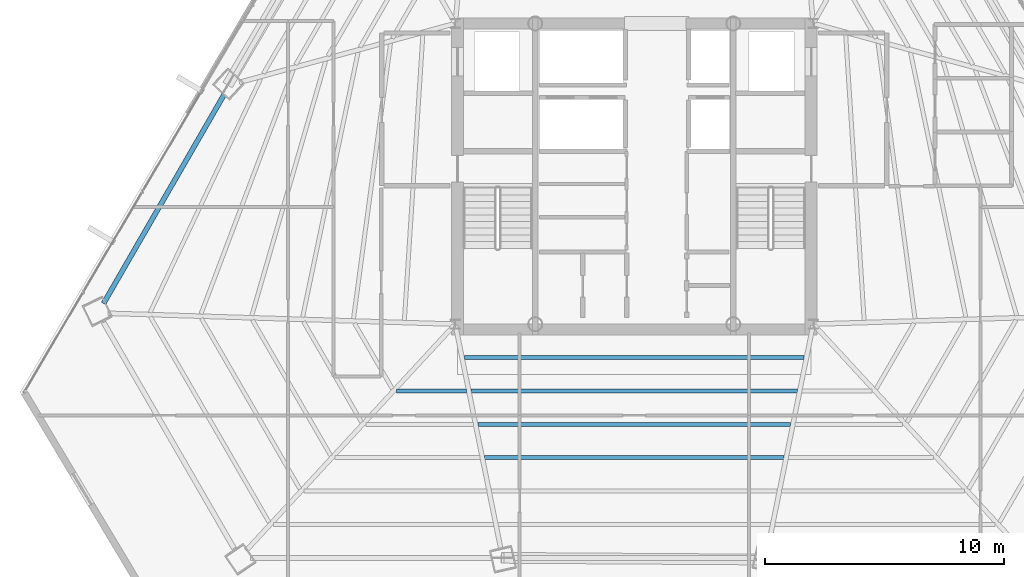
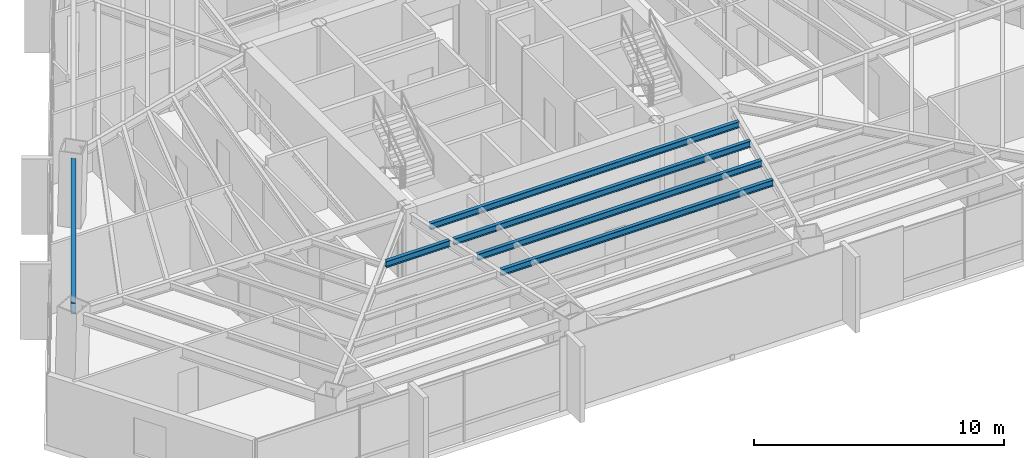
# One storey, part 11 of 41: 6 beams.
"""IFC4 building model written with IfcOpenShell, lengths in metres."""

from ifc_helpers import new_model, si_unit, direction, frame, origin, origin_2d, place, context, subcontext, project, spatial, i_section, extrude, source, transform, mapped, material, material_profile, profile_set, type_object, type_shapes, element, save


model = new_model("IFC4")

# Units and contexts
model_context = context("Model", 3, precision=1e-05, world=origin(), true_north=direction((0.0, 1.0)))
body_context = subcontext(model_context, "Body", "Model", "MODEL_VIEW")
ifc_project = project(units=[si_unit("LENGTHUNIT", "METRE"), si_unit("AREAUNIT", "SQUARE_METRE"), si_unit("VOLUMEUNIT", "CUBIC_METRE"), si_unit("PLANEANGLEUNIT", "RADIAN"), si_unit("MASSUNIT", "GRAM", prefix="KILO")], contexts=[model_context])

# Site, building, storey
site_placement = place(None, origin())
site = spatial("IfcSite", under=ifc_project, at=site_placement, CompositionType="ELEMENT")
building_placement = place(site_placement, origin())
building = spatial("IfcBuilding", under=site, at=building_placement, Name="Caelisora Broadcast Tower", CompositionType="ELEMENT")
storey_placement = place(building_placement, frame((0.0, 0.0, 165.800048828125)))
storey = spatial("IfcBuildingStorey", under=building, at=storey_placement, Name="L43", CompositionType="ELEMENT", Elevation=165.800048828125)

# Beams
ifc_material = material(Name="Steel Grade 350 (AS/NZS 3679.1)", Category="steel")
ifc_material_profile_1 = material_profile(ifc_material, i_section(OverallWidth=0.208984375, OverallDepth=0.532958984375, WebThickness=0.01025390625, FlangeThickness=0.015625, at=origin_2d()), Name="Steel Grade 350 (AS/NZS 3679.1)")
ifc_profile_set_1 = profile_set([ifc_material_profile_1], Name="Steel Grade 350 (AS/NZS 3679.1)")
beam_type_1 = type_object("IfcBeamType", Name="PG05", PredefinedType="BEAM", material=ifc_profile_set_1)
shared_shape_1 = source(origin(), body_context, "Body", "SweptSolid", [
    extrude(i_section(OverallWidth=0.208984375, OverallDepth=0.532958984375, WebThickness=0.01025390625, FlangeThickness=0.015625, at=origin_2d()), origin(), (0.0, 0.0, 1.0), 10.1083984375),
])
type_shapes(beam_type_1, [shared_shape_1])
beam_1_placement = place(storey_placement, frame((20.818359375, 27.021240234375, 3.133544921875), z_axis=(-0.499999119609, -0.866025912078, 0.0), x_axis=(0.866025912078, -0.499999119609, 0.0)))
element("IfcBeam", 1, at=beam_1_placement, inside=storey, type_object=beam_type_1, Name="L43 beam PG05", PredefinedType="BEAM", context=body_context, shape_type="MappedRepresentation", body=[
    mapped(shared_shape_1, transform((0.0, 0.0, 0.0), scale=1.0)),
])
ifc_material_profile_2 = material_profile(ifc_material, i_section(OverallWidth=0.166015625, OverallDepth=0.30712890625, WebThickness=0.006591796875, FlangeThickness=0.01171875, at=origin_2d()), Name="Steel Grade 350 (AS/NZS 3679.1)")
ifc_profile_set_2 = profile_set([ifc_material_profile_2], Name="Steel Grade 350 (AS/NZS 3679.1)")
beam_type_2 = type_object("IfcBeamType", Name="SB03", PredefinedType="JOIST", material=ifc_profile_set_2)
shared_shape_2 = source(origin(), body_context, "Body", "SweptSolid", [
    extrude(i_section(OverallWidth=0.166015625, OverallDepth=0.30712890625, WebThickness=0.006591796875, FlangeThickness=0.01171875, at=origin_2d()), origin(), (0.0, 0.0, 1.0), 2.9296875),
])
beam_2_placement = place(storey_placement, frame((28.043212890625, 14.602783203125, 3.246337890625), z_axis=(1.0, 0.0, 0.0), x_axis=(0.0, 1.0, 0.0)))
element("IfcBeam", 2, at=beam_2_placement, inside=storey, type_object=beam_type_2, Name="L43 beam SB03", PredefinedType="JOIST", context=body_context, shape_type="MappedRepresentation", body=[
    mapped(shared_shape_2, transform((0.0, 0.0, 0.0), scale=1.0)),
])
shared_shape_3 = source(origin(), body_context, "Body", "SweptSolid", [
    extrude(i_section(OverallWidth=0.166015625, OverallDepth=0.30712890625, WebThickness=0.006591796875, FlangeThickness=0.01171875, at=origin_2d()), origin(), (0.0, 0.0, 1.0), 14.24365234375),
])
beam_3_placement = place(storey_placement, frame((30.878173828125, 16.00146484375, 3.246337890625), z_axis=(1.0, 0.0, 0.0), x_axis=(0.0, 1.0, 0.0)))
element("IfcBeam", 3, at=beam_3_placement, inside=storey, type_object=beam_type_2, Name="L43 beam SB03", PredefinedType="JOIST", context=body_context, shape_type="MappedRepresentation", body=[
    mapped(shared_shape_3, transform((0.0, 0.0, 0.0), scale=1.0)),
])
shared_shape_4 = source(origin(), body_context, "Body", "SweptSolid", [
    extrude(i_section(OverallWidth=0.166015625, OverallDepth=0.30712890625, WebThickness=0.006591796875, FlangeThickness=0.01171875, at=origin_2d()), origin(), (0.0, 0.0, 1.0), 13.6767578125),
])
beam_4_placement = place(storey_placement, frame((31.16162109375, 14.602783203125, 3.246337890625), z_axis=(1.0, 0.0, 0.0), x_axis=(0.0, 1.0, 0.0)))
element("IfcBeam", 4, at=beam_4_placement, inside=storey, type_object=beam_type_2, Name="L43 beam SB03", PredefinedType="JOIST", context=body_context, shape_type="MappedRepresentation", body=[
    mapped(shared_shape_4, transform((0.0, 0.0, 0.0), scale=1.0)),
])
shared_shape_5 = source(origin(), body_context, "Body", "SweptSolid", [
    extrude(i_section(OverallWidth=0.166015625, OverallDepth=0.30712890625, WebThickness=0.006591796875, FlangeThickness=0.01171875, at=origin_2d()), origin(), (0.0, 0.0, 1.0), 13.109375),
])
beam_5_placement = place(storey_placement, frame((31.4453125, 13.2041015625, 3.246337890625), z_axis=(1.0, 0.0, 0.0), x_axis=(0.0, 1.0, 0.0)))
element("IfcBeam", 5, at=beam_5_placement, inside=storey, type_object=beam_type_2, Name="L43 beam SB03", PredefinedType="JOIST", context=body_context, shape_type="MappedRepresentation", body=[
    mapped(shared_shape_5, transform((0.0, 0.0, 0.0), scale=1.0)),
])
shared_shape_6 = source(origin(), body_context, "Body", "SweptSolid", [
    extrude(i_section(OverallWidth=0.166015625, OverallDepth=0.30712890625, WebThickness=0.006591796875, FlangeThickness=0.01171875, at=origin_2d()), origin(), (0.0, 0.0, 1.0), 12.5419921875),
])
type_shapes(beam_type_2, [shared_shape_2, shared_shape_3, shared_shape_4, shared_shape_5, shared_shape_6])
beam_6_placement = place(storey_placement, frame((31.72900390625, 11.805419921875, 3.246337890625), z_axis=(1.0, 0.0, 0.0), x_axis=(0.0, 1.0, 0.0)))
element("IfcBeam", 6, at=beam_6_placement, inside=storey, type_object=beam_type_2, Name="L43 beam SB03", PredefinedType="JOIST", context=body_context, shape_type="MappedRepresentation", body=[
    mapped(shared_shape_6, transform((0.0, 0.0, 0.0), scale=1.0)),
])

save(model, "model.ifc")
